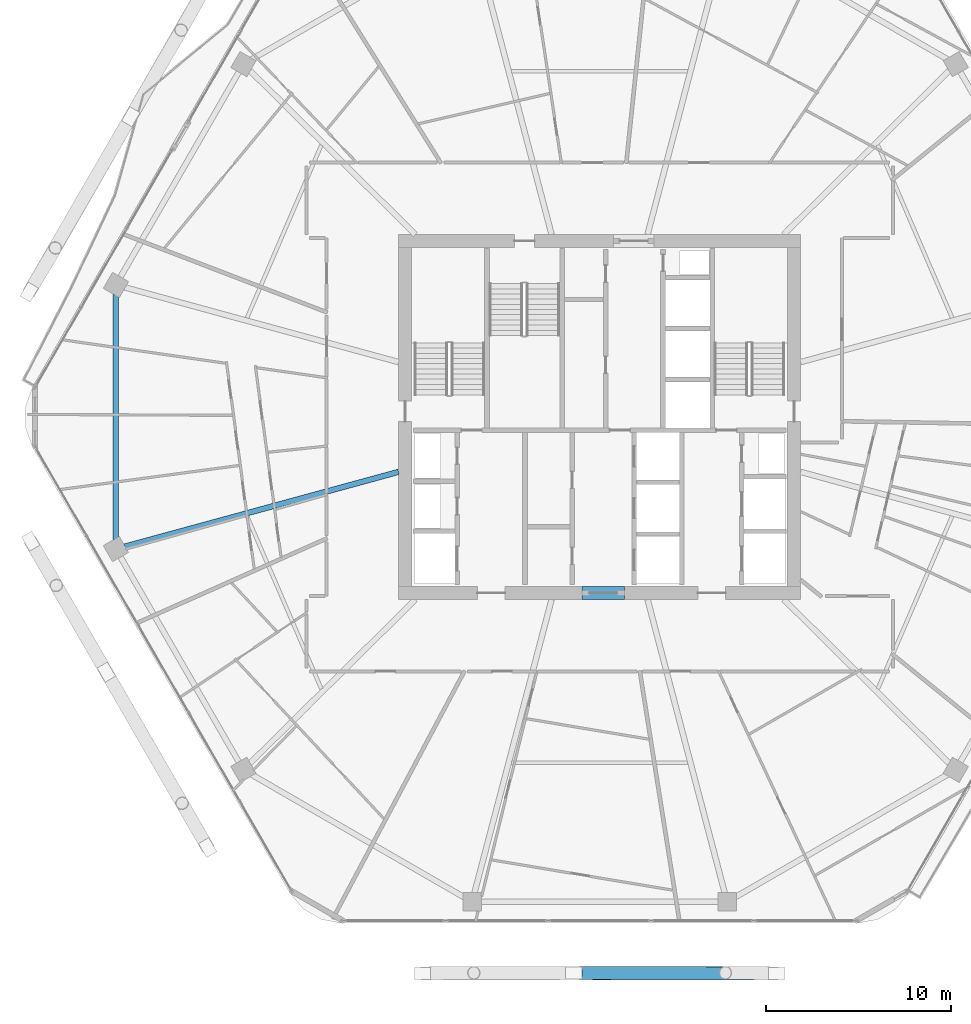
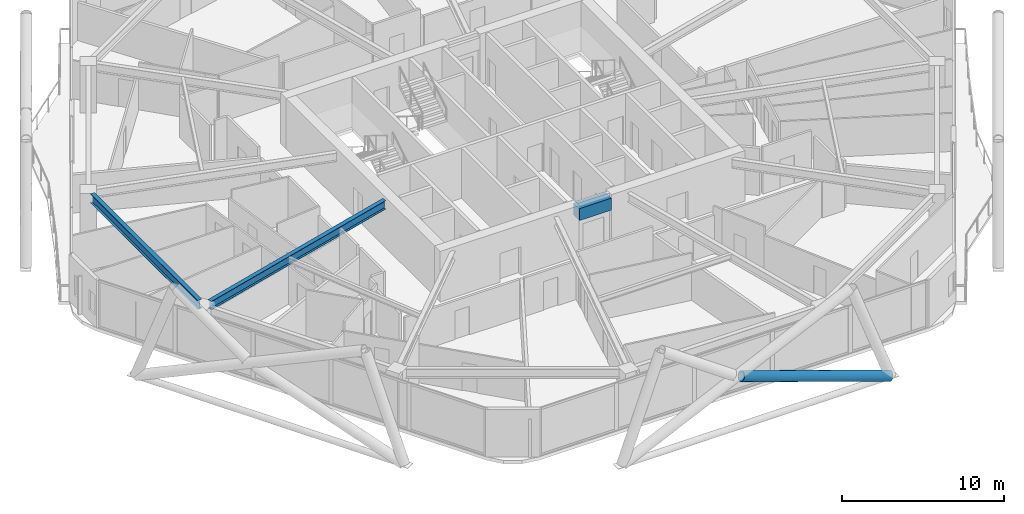
# One storey, part 7 of 30: 3 beams, 1 member.
"""IFC4 building model written with IfcOpenShell, lengths in metres."""

from ifc_helpers import new_model, si_unit, direction, frame, origin, origin_2d, place, context, subcontext, project, spatial, rectangle, hollow_circle, i_section, extrude, material, material_profile, profile_set, type_object, element, save


model = new_model("IFC4")

# Units and contexts
model_context = context("Model", 3, precision=1e-05, world=origin(), true_north=direction((0.0, 1.0)))
body_context = subcontext(model_context, "Body", "Model", "MODEL_VIEW")
ifc_project = project(units=[si_unit("LENGTHUNIT", "METRE"), si_unit("AREAUNIT", "SQUARE_METRE"), si_unit("VOLUMEUNIT", "CUBIC_METRE"), si_unit("PLANEANGLEUNIT", "RADIAN"), si_unit("MASSUNIT", "GRAM", prefix="KILO")], contexts=[model_context])

# Site, building, storey
site_placement = place(None, origin())
site = spatial("IfcSite", under=ifc_project, at=site_placement, CompositionType="ELEMENT")
building_placement = place(site_placement, origin())
building = spatial("IfcBuilding", under=site, at=building_placement, Name="Zuhravey Tower", CompositionType="ELEMENT")
storey_placement = place(building_placement, frame((0.0, 0.0, 177.0)))
storey = spatial("IfcBuildingStorey", under=building, at=storey_placement, Name="L44", CompositionType="ELEMENT", Elevation=177.0)

# Beam
ifc_material_1 = material(Name="Concrete C60/75", Category="concrete")
ifc_material_profile_1 = material_profile(ifc_material_1, rectangle(XDim=0.699951171875, YDim=0.89990234375, at=origin_2d()), Name="RC-700x900")
ifc_profile_set_1 = profile_set([ifc_material_profile_1], Name="Concrete C60/75")
beam_type_1 = type_object("IfcBeamType", Name="Core Coupling Beam RC700x900", PredefinedType="LINTEL", material=ifc_profile_set_1)
beam_1_placement = place(storey_placement, frame((35.052001953125, 22.5, 3.10009765625), z_axis=(1.0, 0.0, 0.0), x_axis=(0.0, 1.0, 0.0)))
element("IfcBeam", 1, at=beam_1_placement, inside=storey, type_object=beam_type_1, Name="L44 CB1 BM-L44-CB-S", PredefinedType="LINTEL", context=body_context, shape_type="SweptSolid", body=[
    extrude(rectangle(XDim=0.699951171875, YDim=0.89990234375, at=origin_2d()), origin(), (0.0, 0.0, 1.0), 2.2958984375),
])

# Member
ifc_material_2 = material(Name="Steel SM460", Category="steel")
ifc_material_profile_2 = material_profile(ifc_material_2, hollow_circle(Radius=0.355712890625, WallThickness=0.031982421875, at=origin_2d()), Name="CHS-711.2x32")
ifc_profile_set_2 = profile_set([ifc_material_profile_2], Name="Steel SM460")
member_type = type_object("IfcMemberType", Name="Exoskeleton Zone 2 Diagrid CHS711x32", PredefinedType="BRACE", material=ifc_profile_set_2)
member_placement = place(storey_placement, frame((45.51025390625, 1.967041015625, -0.448486328125), z_axis=(-0.944652786262, 0.001287230689, 0.328069286042), x_axis=(-0.00136264828, -0.999999071594, 0.0)))
element("IfcMember", 2, at=member_placement, inside=storey, type_object=member_type, Name="L44 Face 5 Split Diagrid Brace 3A", PredefinedType="BRACE", context=body_context, shape_type="SweptSolid", body=[
    extrude(hollow_circle(Radius=0.355712890625, WallThickness=0.031982421875, at=origin_2d()), origin(), (0.0, 0.0, 1.0), 11.190185546875),
])

# Beams
ifc_material_3 = material(Name="Steel SM355", Category="steel")
ifc_material_profile_3 = material_profile(ifc_material_3, i_section(OverallWidth=0.300048828125, OverallDepth=0.679931640625, WebThickness=0.012939453125, FlangeThickness=0.02197265625, at=origin_2d()), Name="H-680x300x13x22")
ifc_profile_set_3 = profile_set([ifc_material_profile_3], Name="Steel SM355")
beam_type_2 = type_object("IfcBeamType", Name="Perimeter Ring Beam H680x300", PredefinedType="BEAM", material=ifc_profile_set_3)
beam_2_placement = place(storey_placement, frame((9.892333984375, 38.62353515625, 3.2099609375), z_axis=(0.0, -1.0, 0.0), x_axis=(1.0, 0.0, 0.0)))
element("IfcBeam", 3, at=beam_2_placement, inside=storey, type_object=beam_type_2, Name="L44 PB2 BM-L44-PB-06", PredefinedType="BEAM", context=body_context, shape_type="SweptSolid", body=[
    extrude(i_section(OverallWidth=0.300048828125, OverallDepth=0.679931640625, WebThickness=0.012939453125, FlangeThickness=0.02197265625, at=origin_2d()), origin(), (0.0, 0.0, 1.0), 13.2470703125),
])
ifc_material_profile_4 = material_profile(ifc_material_3, i_section(OverallWidth=0.300048828125, OverallDepth=0.64990234375, WebThickness=0.012939453125, FlangeThickness=0.02197265625, at=origin_2d()), Name="H-650x300x13x22")
ifc_profile_set_4 = profile_set([ifc_material_profile_4], Name="Steel SM355")
beam_type_3 = type_object("IfcBeamType", Name="Radial Primary Girder H650x300", PredefinedType="BEAM", material=ifc_profile_set_4)
beam_3_placement = place(storey_placement, frame((25.14697265625, 29.03759765625, 3.22509765625), z_axis=(-0.964701601771, -0.263345437667, 0.0), x_axis=(0.263345437667, -0.964701601771, 0.0)))
element("IfcBeam", 4, at=beam_3_placement, inside=storey, type_object=beam_type_3, Name="L44 RG2 BM-L44-RAD-07", PredefinedType="BEAM", context=body_context, shape_type="SweptSolid", body=[
    extrude(i_section(OverallWidth=0.300048828125, OverallDepth=0.64990234375, WebThickness=0.012939453125, FlangeThickness=0.02197265625, at=origin_2d()), origin(), (0.0, 0.0, 1.0), 15.309814453125),
])

save(model, "model.ifc")
